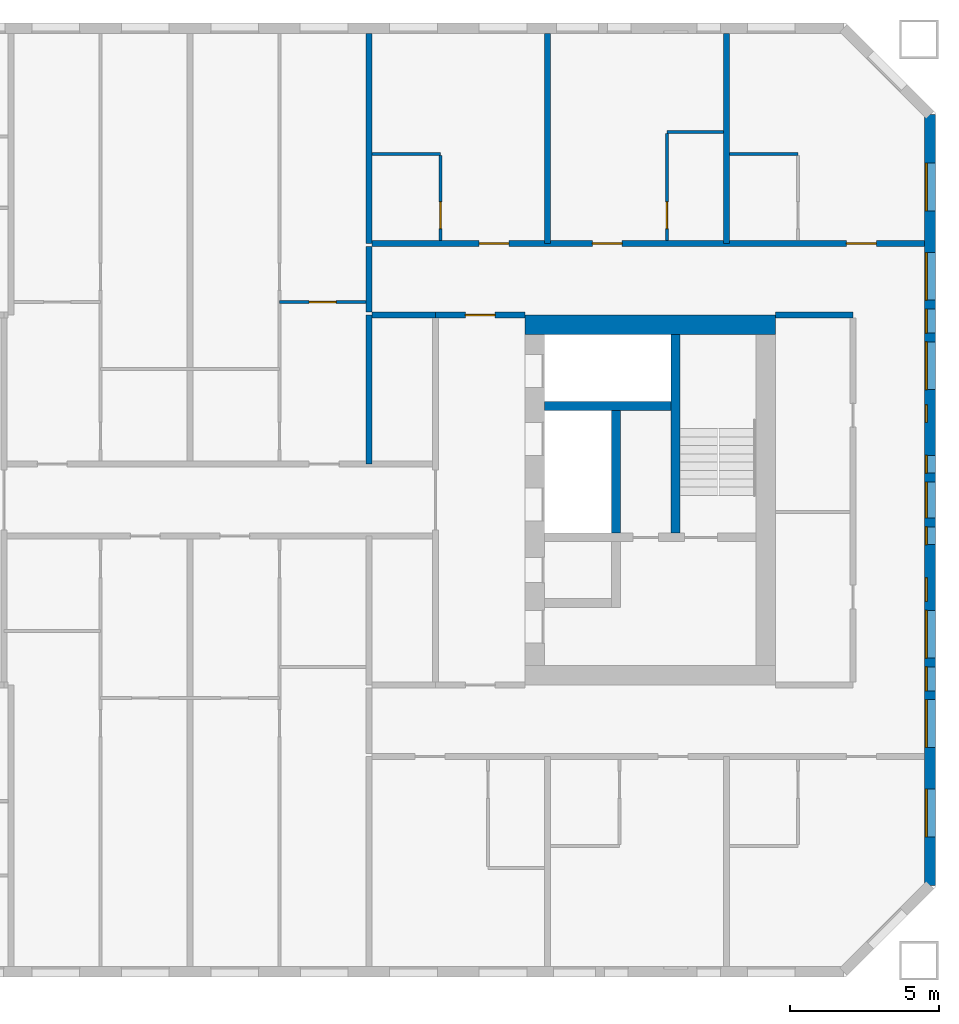
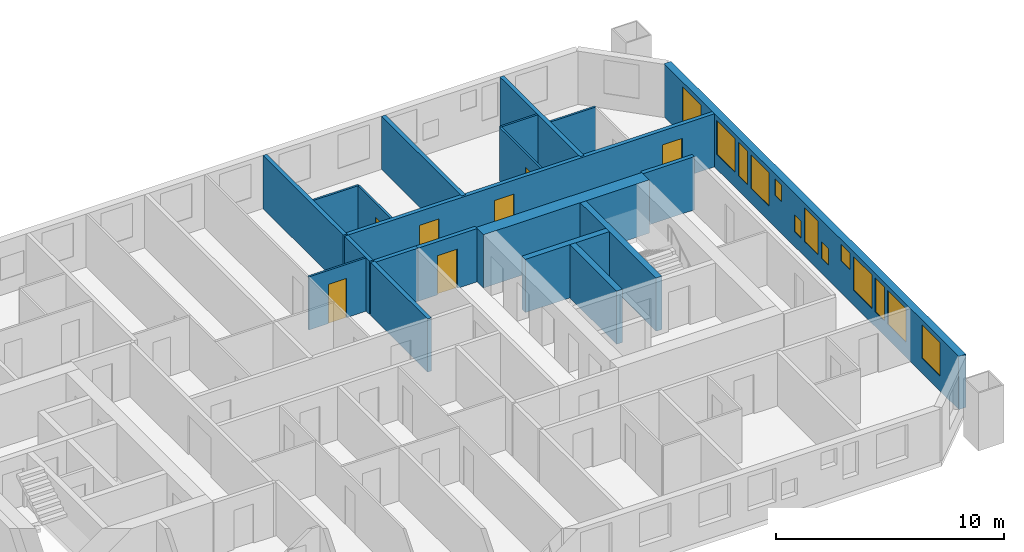
# One storey, part 14 of 17: 20 walls, 13 windows, 7 doors, 20 openings.
"""IFC4 building model written with IfcOpenShell, lengths in metres."""

import ifcopenshell
import ifcopenshell.guid

model = None  # the IFC model being written
_history = None  # IfcOwnerHistory: only IFC2X3 demands one
_inside = {}  # id of a spatial element -> (the spatial element, [elements in it])
_under = {}  # id of a project, library or spatial element -> (it, [spatial elements below it])
_declared = {}  # id of a project -> (the project, [libraries it declares])
_typed = {}  # id of a type object -> (the type object, [elements of that type])
_made_of = {}  # id of a material, layer set ... -> (it, [elements and type objects made of it])


def new_model(schema):
    """Start an empty IFC model of exactly this schema.

    Asked for "IFC4X3", IfcOpenShell would pick the latest addendum, in which some entities
    have other attributes; the version numbers below select the first issue.
    IFC2X3 requires an IfcOwnerHistory on every rooted entity: one is made here for all.
    """
    global model, _history
    if schema == "IFC4X3":
        model = ifcopenshell.file(schema_version=(4, 3, 0, 0))
    else:
        model = ifcopenshell.file(schema=schema)
    _inside.clear()
    _under.clear()
    _declared.clear()
    _typed.clear()
    _made_of.clear()
    _history = None
    if model.schema == "IFC2X3":
        org = make("IfcOrganization", Name="unknown")
        user = make(
            "IfcPersonAndOrganization",
            ThePerson=make("IfcPerson", FamilyName="unknown"),
            TheOrganization=org,
        )
        app = make(
            "IfcApplication",
            ApplicationDeveloper=org,
            Version="unknown",
            ApplicationFullName="unknown",
            ApplicationIdentifier="unknown",
        )
        _history = make(
            "IfcOwnerHistory",
            OwningUser=user,
            OwningApplication=app,
            ChangeAction="ADDED",
            CreationDate=0,
        )
    return model


def make(cls, **values):
    """One entity of the class cls with the attributes given. An attribute that is None is left unset."""
    return model.create_entity(
        cls, **{name: value for name, value in values.items() if value is not None}
    )


def rooted(cls, **values):
    """An entity with a GlobalId (a new one), such as an element, a storey or a relation."""
    return make(cls, GlobalId=ifcopenshell.guid.new(), OwnerHistory=_history, **values)


def si_unit(unit_type, name, prefix=None):
    """IfcSIUnit, for example si_unit("LENGTHUNIT", "METRE", prefix="MILLI")."""
    return make("IfcSIUnit", UnitType=unit_type, Prefix=prefix, Name=name)


def assignment(units):
    """IfcUnitAssignment: the units of a project."""
    return None if units is None else make("IfcUnitAssignment", Units=units)


def point(xyz):
    """IfcCartesianPoint."""
    return None if xyz is None else make("IfcCartesianPoint", Coordinates=xyz)


def direction(xyz):
    """IfcDirection."""
    return None if xyz is None else make("IfcDirection", DirectionRatios=xyz)


def frame(location, z_axis=None, x_axis=None):
    """IfcAxis2Placement3D, a coordinate frame: its origin and axes. An axis left out is left unset."""
    return make(
        "IfcAxis2Placement3D",
        Location=point(location),
        Axis=direction(z_axis),
        RefDirection=direction(x_axis),
    )


def frame_2d(location, x_axis=None):
    """IfcAxis2Placement2D, a coordinate frame in the plane: its origin and x axis."""
    return make(
        "IfcAxis2Placement2D", Location=point(location), RefDirection=direction(x_axis)
    )


def origin():
    """The frame at (0, 0, 0) with its axes left unset."""
    return frame((0.0, 0.0, 0.0))


def place(relative_to, where):
    """IfcLocalPlacement: puts the frame where relative to a parent placement (None: the world)."""
    return make(
        "IfcLocalPlacement", PlacementRelTo=relative_to, RelativePlacement=where
    )


def context(
    kind, dimensions, precision=None, world=None, true_north=None, identifier=None
):
    """IfcGeometricRepresentationContext, for example the 3D "Model" context."""
    return make(
        "IfcGeometricRepresentationContext",
        ContextIdentifier=identifier,
        ContextType=kind,
        CoordinateSpaceDimension=dimensions,
        Precision=precision,
        WorldCoordinateSystem=world,
        TrueNorth=true_north,
    )


def subcontext(parent, identifier, kind, view, scale=None):
    """IfcGeometricRepresentationSubContext, for example "Body" below "Model"."""
    return make(
        "IfcGeometricRepresentationSubContext",
        ContextIdentifier=identifier,
        ContextType=kind,
        ParentContext=parent,
        TargetScale=scale,
        TargetView=view,
    )


def project(units=None, contexts=None):
    """IfcProject with its units and contexts."""
    return rooted(
        "IfcProject",
        Name="project",
        RepresentationContexts=contexts,
        UnitsInContext=assignment(units),
    )


def spatial(cls, under=None, at=None, **own):
    """A site, building, storey or space (cls), placed at a placement, below another one or the project."""
    s = rooted(cls, ObjectPlacement=at, **own)
    if under is not None:
        _under.setdefault(under.id(), (under, []))[1].append(s)
    return s


def profile(cls, at=None, kind="AREA", **sizes):
    """A parametric profile (cls). Its sizes go by their IFC names, for example OverallWidth=200.0."""
    return make(cls, ProfileType=kind, Position=at, **sizes)


def rectangle(**sizes):
    """IfcRectangleProfileDef."""
    return profile("IfcRectangleProfileDef", **sizes)


def extrude(swept, where, along, depth):
    """IfcExtrudedAreaSolid: the profile swept, set in the frame where, extruded along a direction by depth."""
    return make(
        "IfcExtrudedAreaSolid",
        SweptArea=swept,
        Position=where,
        ExtrudedDirection=direction(along),
        Depth=depth,
    )


def shape(context_of_items, identifier, shape_type, items):
    """IfcShapeRepresentation: the items that make up one representation, for example the "Body"."""
    return make(
        "IfcShapeRepresentation",
        ContextOfItems=context_of_items,
        RepresentationIdentifier=identifier,
        RepresentationType=shape_type,
        Items=items,
    )


def material(Name=None, Category=None):
    """IfcMaterial."""
    return make("IfcMaterial", Name=Name, Category=Category)


def layer(
    of_material, thickness, ventilated=None, Name=None, Category=None, Priority=None
):
    """IfcMaterialLayer: one layer of a wall or slab, of a material (None: an air gap)."""
    return make(
        "IfcMaterialLayer",
        Material=of_material,
        LayerThickness=thickness,
        IsVentilated=ventilated,
        Name=Name,
        Category=Category,
        Priority=Priority,
    )


def layer_set(layers, Name=None):
    """IfcMaterialLayerSet."""
    return make("IfcMaterialLayerSet", MaterialLayers=layers, LayerSetName=Name)


def made_of(thing, what):
    """Note that an element or type object is made of a material, layer set ...; save() writes the relation."""
    if what is not None:
        _made_of.setdefault(what.id(), (what, []))[1].append(thing)
    return thing


def type_object(cls, material=None, **own):
    """A type object (cls), such as IfcWallType, which elements share."""
    return made_of(rooted(cls, **own), material)


def element(
    cls,
    number,
    at=None,
    inside=None,
    cuts=None,
    type_object=None,
    material=None,
    context=None,
    identifier="Body",
    shape_type=None,
    held_by="IfcProductDefinitionShape",
    body=None,
    shapes=None,
    **own,
):
    """One element of the class cls, such as IfcWall. Its Tag is "e" and its number.

    at: its placement. inside: the storey or other place that contains it. cuts: it is an
    opening in that element (IfcRelVoidsElement). A single representation is given by context,
    identifier, shape_type and body (its items); several are given by shapes. held_by: the class
    of the entity that holds the representations. save() writes the other relations.
    """
    e = rooted(cls, Tag="e%d" % number, ObjectPlacement=at, **own)
    if body is not None:
        shapes = [shape(context, identifier, shape_type, body)]
    if shapes is not None:
        e.Representation = make(held_by, Representations=shapes)
    if inside is not None:
        _inside.setdefault(inside.id(), (inside, []))[1].append(e)
    if cuts is not None:
        rooted(
            "IfcRelVoidsElement", RelatingBuildingElement=cuts, RelatedOpeningElement=e
        )
    if type_object is not None:
        _typed.setdefault(type_object.id(), (type_object, []))[1].append(e)
    return made_of(e, material)


def fill(opening, filler):
    """IfcRelFillsElement: the door or window that sits in an opening."""
    return rooted(
        "IfcRelFillsElement",
        RelatingOpeningElement=opening,
        RelatedBuildingElement=filler,
    )


def aggregate(whole, parts):
    """IfcRelAggregates: a whole, such as a stair, and the parts it consists of."""
    return rooted("IfcRelAggregates", RelatingObject=whole, RelatedObjects=parts)


def save(model, path):
    """Write the relations noted so far, then the file.

    IfcRelAggregates (storeys below a building ...), IfcRelContainedInSpatialStructure (elements
    in a storey), IfcRelDefinesByType, IfcRelAssociatesMaterial and IfcRelDeclares: one each for
    every whole, place, type object, material and project.
    """
    for whole, parts in _under.values():
        aggregate(whole, parts)
    for where, things in _inside.values():
        rooted(
            "IfcRelContainedInSpatialStructure",
            RelatedElements=things,
            RelatingStructure=where,
        )
    for kind, things in _typed.values():
        rooted("IfcRelDefinesByType", RelatedObjects=things, RelatingType=kind)
    for what, things in _made_of.values():
        rooted("IfcRelAssociatesMaterial", RelatedObjects=things, RelatingMaterial=what)
    for by, libraries in _declared.values():
        rooted("IfcRelDeclares", RelatingContext=by, RelatedDefinitions=libraries)
    model.write(path)


model = new_model("IFC4")

# Units and contexts
model_context = context("Model", 3, precision=1e-05, world=origin(), true_north=direction((0.0, 1.0)))
body_context = subcontext(model_context, "Body", "Model", "MODEL_VIEW")
ifc_project = project(units=[si_unit("LENGTHUNIT", "METRE"), si_unit("AREAUNIT", "SQUARE_METRE"), si_unit("VOLUMEUNIT", "CUBIC_METRE"), si_unit("PLANEANGLEUNIT", "RADIAN"), si_unit("MASSUNIT", "GRAM", prefix="KILO")], contexts=[model_context])

# Site, building, storey
site_placement = place(None, origin())
site = spatial("IfcSite", under=ifc_project, at=site_placement, CompositionType="ELEMENT")
building_placement = place(site_placement, origin())
building = spatial("IfcBuilding", under=site, at=building_placement, Name="Tuart Gate Housing", CompositionType="ELEMENT")
storey_placement = place(building_placement, frame((0.0, 0.0, 102.60009765625)))
storey = spatial("IfcBuildingStorey", under=building, at=storey_placement, Name="L28", CompositionType="ELEMENT", Elevation=102.60009765625)

# Wall, openings, windows
ifc_material_1 = material(Name="Brick", Category="masonry")
ifc_layer_1 = layer(ifc_material_1, 0.360107421875)
ifc_layer_set_1 = layer_set([ifc_layer_1], Name="Brick pier and spandrel wall 360")
wall_type_1 = type_object("IfcWallType", Name="Brick pier and spandrel wall 360", PredefinedType="STANDARD", material=ifc_layer_set_1)
wall_1_placement = place(storey_placement, frame((173.820068359375, 57.07470703125, 0.0), z_axis=(0.0, 0.0, 1.0), x_axis=(0.0, 1.0, 0.0)))
wall_1 = element("IfcWall", 1, at=wall_1_placement, inside=storey, type_object=wall_type_1, Name="External wall B-E L28", PredefinedType="STANDARD", context=body_context, shape_type="SweptSolid", body=[
    extrude(rectangle(XDim=25.850830078125, YDim=0.360107421875, at=frame_2d((12.92529296875, 0.0))), origin(), (0.0, 0.0, 1.0), 2.849853515625),
])
opening_1_placement = place(wall_1_placement, frame((1.62548828125, 0.0, 0.800048828125)))
opening_1 = element("IfcOpeningElement", 2, at=opening_1_placement, cuts=wall_1, Name="Opening W1", PredefinedType="OPENING", context=body_context, shape_type="SweptSolid", body=[
    extrude(rectangle(XDim=1.60009765625, YDim=1.800048828125, at=frame_2d((0.800048828125, 0.89990234375))), frame((0.0, 0.18994140625, 0.0), z_axis=(0.0, -1.0, 0.0), x_axis=(1.0, 0.0, 0.0)), (0.0, 0.0, 1.0), 0.380126953125),
])
opening_2_placement = place(wall_1_placement, frame((4.62548828125, 0.0, 0.800048828125)))
opening_2 = element("IfcOpeningElement", 3, at=opening_2_placement, cuts=wall_1, Name="Opening W1", PredefinedType="OPENING", context=body_context, shape_type="SweptSolid", body=[
    extrude(rectangle(XDim=1.60009765625, YDim=1.800048828125, at=frame_2d((0.800048828125, 0.89990234375))), frame((0.0, 0.18994140625, 0.0), z_axis=(0.0, -1.0, 0.0), x_axis=(1.0, 0.0, 0.0)), (0.0, 0.0, 1.0), 0.380126953125),
])
opening_3_placement = place(wall_1_placement, frame((7.62548828125, 0.0, 0.800048828125)))
opening_3 = element("IfcOpeningElement", 4, at=opening_3_placement, cuts=wall_1, Name="Opening W1", PredefinedType="OPENING", context=body_context, shape_type="SweptSolid", body=[
    extrude(rectangle(XDim=1.60009765625, YDim=1.800048828125, at=frame_2d((0.800048828125, 0.89990234375))), frame((0.0, 0.18994140625, 0.0), z_axis=(0.0, -1.0, 0.0), x_axis=(1.0, 0.0, 0.0)), (0.0, 0.0, 1.0), 0.380126953125),
])
opening_4_placement = place(wall_1_placement, frame((6.525390625, 0.0, 0.800048828125)))
opening_4 = element("IfcOpeningElement", 5, at=opening_4_placement, cuts=wall_1, Name="Opening W1D", PredefinedType="OPENING", context=body_context, shape_type="SweptSolid", body=[
    extrude(rectangle(XDim=0.800048828125, YDim=1.800048828125, at=frame_2d((0.39990234375, 0.89990234375))), frame((0.0, 0.18994140625, 0.0), z_axis=(0.0, -1.0, 0.0), x_axis=(1.0, 0.0, 0.0)), (0.0, 0.0, 1.0), 0.380126953125),
])
opening_5_placement = place(wall_1_placement, frame((9.525390625, 0.0, 1.699951171875)))
opening_5 = element("IfcOpeningElement", 6, at=opening_5_placement, cuts=wall_1, Name="Opening W1V", PredefinedType="OPENING", context=body_context, shape_type="SweptSolid", body=[
    extrude(rectangle(XDim=0.800048828125, YDim=0.89990234375, at=frame_2d((0.39990234375, 0.449951171875))), frame((0.0, 0.18994140625, 0.0), z_axis=(0.0, -1.0, 0.0), x_axis=(1.0, 0.0, 0.0)), (0.0, 0.0, 1.0), 0.380126953125),
])
opening_6_placement = place(wall_1_placement, frame((16.62548828125, 0.0, 0.800048828125)))
opening_6 = element("IfcOpeningElement", 7, at=opening_6_placement, cuts=wall_1, Name="Opening W1", PredefinedType="OPENING", context=body_context, shape_type="SweptSolid", body=[
    extrude(rectangle(XDim=1.60009765625, YDim=1.800048828125, at=frame_2d((0.800048828125, 0.89990234375))), frame((0.0, 0.18994140625, 0.0), z_axis=(0.0, -1.0, 0.0), x_axis=(1.0, 0.0, 0.0)), (0.0, 0.0, 1.0), 0.380126953125),
])
opening_7_placement = place(wall_1_placement, frame((19.62548828125, 0.0, 0.800048828125)))
opening_7 = element("IfcOpeningElement", 8, at=opening_7_placement, cuts=wall_1, Name="Opening W1", PredefinedType="OPENING", context=body_context, shape_type="SweptSolid", body=[
    extrude(rectangle(XDim=1.60009765625, YDim=1.800048828125, at=frame_2d((0.800048828125, 0.89990234375))), frame((0.0, 0.18994140625, 0.0), z_axis=(0.0, -1.0, 0.0), x_axis=(1.0, 0.0, 0.0)), (0.0, 0.0, 1.0), 0.380126953125),
])
opening_8_placement = place(wall_1_placement, frame((22.62548828125, 0.0, 0.800048828125)))
opening_8 = element("IfcOpeningElement", 9, at=opening_8_placement, cuts=wall_1, Name="Opening W1", PredefinedType="OPENING", context=body_context, shape_type="SweptSolid", body=[
    extrude(rectangle(XDim=1.60009765625, YDim=1.800048828125, at=frame_2d((0.800048828125, 0.89990234375))), frame((0.0, 0.18994140625, 0.0), z_axis=(0.0, -1.0, 0.0), x_axis=(1.0, 0.0, 0.0)), (0.0, 0.0, 1.0), 0.380126953125),
])
opening_9_placement = place(wall_1_placement, frame((11.42529296875, 0.0, 0.800048828125)))
opening_9 = element("IfcOpeningElement", 10, at=opening_9_placement, cuts=wall_1, Name="Opening W1W", PredefinedType="OPENING", context=body_context, shape_type="SweptSolid", body=[
    extrude(rectangle(XDim=0.60009765625, YDim=0.89990234375, at=frame_2d((0.300048828125, 0.449951171875))), frame((0.0, 0.18994140625, 0.0), z_axis=(0.0, -1.0, 0.0), x_axis=(1.0, 0.0, 0.0)), (0.0, 0.0, 1.0), 0.380126953125),
])
opening_10_placement = place(wall_1_placement, frame((12.325439453125, 0.0, 0.800048828125)))
opening_10 = element("IfcOpeningElement", 11, at=opening_10_placement, cuts=wall_1, Name="Opening W1B", PredefinedType="OPENING", context=body_context, shape_type="SweptSolid", body=[
    extrude(rectangle(XDim=1.199951171875, YDim=1.800048828125, at=frame_2d((0.60009765625, 0.89990234375))), frame((0.0, 0.18994140625, 0.0), z_axis=(0.0, -1.0, 0.0), x_axis=(1.0, 0.0, 0.0)), (0.0, 0.0, 1.0), 0.380126953125),
])
opening_11_placement = place(wall_1_placement, frame((13.825439453125, 0.0, 0.800048828125)))
opening_11 = element("IfcOpeningElement", 12, at=opening_11_placement, cuts=wall_1, Name="Opening W1W", PredefinedType="OPENING", context=body_context, shape_type="SweptSolid", body=[
    extrude(rectangle(XDim=0.60009765625, YDim=0.89990234375, at=frame_2d((0.300048828125, 0.449951171875))), frame((0.0, 0.18994140625, 0.0), z_axis=(0.0, -1.0, 0.0), x_axis=(1.0, 0.0, 0.0)), (0.0, 0.0, 1.0), 0.380126953125),
])
opening_12_placement = place(wall_1_placement, frame((15.525390625, 0.0, 1.699951171875)))
opening_12 = element("IfcOpeningElement", 13, at=opening_12_placement, cuts=wall_1, Name="Opening W1W", PredefinedType="OPENING", context=body_context, shape_type="SweptSolid", body=[
    extrude(rectangle(XDim=0.60009765625, YDim=0.89990234375, at=frame_2d((0.300048828125, 0.449951171875))), frame((0.0, 0.18994140625, 0.0), z_axis=(0.0, -1.0, 0.0), x_axis=(1.0, 0.0, 0.0)), (0.0, 0.0, 1.0), 0.380126953125),
])
opening_13_placement = place(wall_1_placement, frame((18.525390625, 0.0, 0.800048828125)))
opening_13 = element("IfcOpeningElement", 14, at=opening_13_placement, cuts=wall_1, Name="Opening W1D", PredefinedType="OPENING", context=body_context, shape_type="SweptSolid", body=[
    extrude(rectangle(XDim=0.800048828125, YDim=1.800048828125, at=frame_2d((0.39990234375, 0.89990234375))), frame((0.0, 0.18994140625, 0.0), z_axis=(0.0, -1.0, 0.0), x_axis=(1.0, 0.0, 0.0)), (0.0, 0.0, 1.0), 0.380126953125),
])
ifc_material_2 = material(Name="Aluminium frame with clear glass", Category="aluminium")
window_type_1 = type_object("IfcWindowType", Name="Punched window 1200 x 1800", PartitioningType="SINGLE_PANEL", PredefinedType="WINDOW", material=ifc_material_2)
window_1_placement = place(opening_10_placement, origin())
window_1 = element("IfcWindow", 15, at=window_1_placement, inside=storey, type_object=window_type_1, Name="Window W1B", OverallHeight=1.800048828125, OverallWidth=1.199951171875, PartitioningType="SINGLE_PANEL", PredefinedType="WINDOW", context=body_context, shape_type="SweptSolid", body=[
    extrude(rectangle(XDim=1.199951171875, YDim=1.800048828125, at=frame_2d((0.60009765625, 0.89990234375))), frame((0.0, 0.150146484375, 0.0), z_axis=(0.0, -1.0, 0.0), x_axis=(1.0, 0.0, 0.0)), (0.0, 0.0, 1.0), 0.06005859375),
])
fill(opening_10, window_1)
ifc_material_3 = material(Name="Aluminium frame with clear glass", Category="aluminium")
window_type_2 = type_object("IfcWindowType", Name="Punched window 1600 x 1800", PartitioningType="SINGLE_PANEL", PredefinedType="WINDOW", material=ifc_material_3)
window_2_placement = place(opening_1_placement, origin())
window_2 = element("IfcWindow", 16, at=window_2_placement, inside=storey, type_object=window_type_2, Name="Window W1", OverallHeight=1.800048828125, OverallWidth=1.60009765625, PartitioningType="SINGLE_PANEL", PredefinedType="WINDOW", context=body_context, shape_type="SweptSolid", body=[
    extrude(rectangle(XDim=1.60009765625, YDim=1.800048828125, at=frame_2d((0.800048828125, 0.89990234375))), frame((0.0, 0.150146484375, 0.0), z_axis=(0.0, -1.0, 0.0), x_axis=(1.0, 0.0, 0.0)), (0.0, 0.0, 1.0), 0.06005859375),
])
fill(opening_1, window_2)
window_3_placement = place(opening_2_placement, origin())
window_3 = element("IfcWindow", 17, at=window_3_placement, inside=storey, type_object=window_type_2, Name="Window W1", OverallHeight=1.800048828125, OverallWidth=1.60009765625, PartitioningType="SINGLE_PANEL", PredefinedType="WINDOW", context=body_context, shape_type="SweptSolid", body=[
    extrude(rectangle(XDim=1.60009765625, YDim=1.800048828125, at=frame_2d((0.800048828125, 0.89990234375))), frame((0.0, 0.150146484375, 0.0), z_axis=(0.0, -1.0, 0.0), x_axis=(1.0, 0.0, 0.0)), (0.0, 0.0, 1.0), 0.06005859375),
])
fill(opening_2, window_3)
window_4_placement = place(opening_3_placement, origin())
window_4 = element("IfcWindow", 18, at=window_4_placement, inside=storey, type_object=window_type_2, Name="Window W1", OverallHeight=1.800048828125, OverallWidth=1.60009765625, PartitioningType="SINGLE_PANEL", PredefinedType="WINDOW", context=body_context, shape_type="SweptSolid", body=[
    extrude(rectangle(XDim=1.60009765625, YDim=1.800048828125, at=frame_2d((0.800048828125, 0.89990234375))), frame((0.0, 0.150146484375, 0.0), z_axis=(0.0, -1.0, 0.0), x_axis=(1.0, 0.0, 0.0)), (0.0, 0.0, 1.0), 0.06005859375),
])
fill(opening_3, window_4)
window_5_placement = place(opening_6_placement, origin())
window_5 = element("IfcWindow", 19, at=window_5_placement, inside=storey, type_object=window_type_2, Name="Window W1", OverallHeight=1.800048828125, OverallWidth=1.60009765625, PartitioningType="SINGLE_PANEL", PredefinedType="WINDOW", context=body_context, shape_type="SweptSolid", body=[
    extrude(rectangle(XDim=1.60009765625, YDim=1.800048828125, at=frame_2d((0.800048828125, 0.89990234375))), frame((0.0, 0.150146484375, 0.0), z_axis=(0.0, -1.0, 0.0), x_axis=(1.0, 0.0, 0.0)), (0.0, 0.0, 1.0), 0.06005859375),
])
fill(opening_6, window_5)
window_6_placement = place(opening_7_placement, origin())
window_6 = element("IfcWindow", 20, at=window_6_placement, inside=storey, type_object=window_type_2, Name="Window W1", OverallHeight=1.800048828125, OverallWidth=1.60009765625, PartitioningType="SINGLE_PANEL", PredefinedType="WINDOW", context=body_context, shape_type="SweptSolid", body=[
    extrude(rectangle(XDim=1.60009765625, YDim=1.800048828125, at=frame_2d((0.800048828125, 0.89990234375))), frame((0.0, 0.150146484375, 0.0), z_axis=(0.0, -1.0, 0.0), x_axis=(1.0, 0.0, 0.0)), (0.0, 0.0, 1.0), 0.06005859375),
])
fill(opening_7, window_6)
window_7_placement = place(opening_8_placement, origin())
window_7 = element("IfcWindow", 21, at=window_7_placement, inside=storey, type_object=window_type_2, Name="Window W1", OverallHeight=1.800048828125, OverallWidth=1.60009765625, PartitioningType="SINGLE_PANEL", PredefinedType="WINDOW", context=body_context, shape_type="SweptSolid", body=[
    extrude(rectangle(XDim=1.60009765625, YDim=1.800048828125, at=frame_2d((0.800048828125, 0.89990234375))), frame((0.0, 0.150146484375, 0.0), z_axis=(0.0, -1.0, 0.0), x_axis=(1.0, 0.0, 0.0)), (0.0, 0.0, 1.0), 0.06005859375),
])
fill(opening_8, window_7)
ifc_material_4 = material(Name="Aluminium frame with clear glass", Category="aluminium")
window_type_3 = type_object("IfcWindowType", Name="Punched window 600 x 900", PartitioningType="SINGLE_PANEL", PredefinedType="WINDOW", material=ifc_material_4)
window_8_placement = place(opening_9_placement, origin())
window_8 = element("IfcWindow", 22, at=window_8_placement, inside=storey, type_object=window_type_3, Name="Window W1W", OverallHeight=0.89990234375, OverallWidth=0.60009765625, PartitioningType="SINGLE_PANEL", PredefinedType="WINDOW", context=body_context, shape_type="SweptSolid", body=[
    extrude(rectangle(XDim=0.60009765625, YDim=0.89990234375, at=frame_2d((0.300048828125, 0.449951171875))), frame((0.0, 0.150146484375, 0.0), z_axis=(0.0, -1.0, 0.0), x_axis=(1.0, 0.0, 0.0)), (0.0, 0.0, 1.0), 0.06005859375),
])
fill(opening_9, window_8)
window_9_placement = place(opening_11_placement, origin())
window_9 = element("IfcWindow", 23, at=window_9_placement, inside=storey, type_object=window_type_3, Name="Window W1W", OverallHeight=0.89990234375, OverallWidth=0.60009765625, PartitioningType="SINGLE_PANEL", PredefinedType="WINDOW", context=body_context, shape_type="SweptSolid", body=[
    extrude(rectangle(XDim=0.60009765625, YDim=0.89990234375, at=frame_2d((0.300048828125, 0.449951171875))), frame((0.0, 0.150146484375, 0.0), z_axis=(0.0, -1.0, 0.0), x_axis=(1.0, 0.0, 0.0)), (0.0, 0.0, 1.0), 0.06005859375),
])
fill(opening_11, window_9)
window_10_placement = place(opening_12_placement, origin())
window_10 = element("IfcWindow", 24, at=window_10_placement, inside=storey, type_object=window_type_3, Name="Window W1W", OverallHeight=0.89990234375, OverallWidth=0.60009765625, PartitioningType="SINGLE_PANEL", PredefinedType="WINDOW", context=body_context, shape_type="SweptSolid", body=[
    extrude(rectangle(XDim=0.60009765625, YDim=0.89990234375, at=frame_2d((0.300048828125, 0.449951171875))), frame((0.0, 0.150146484375, 0.0), z_axis=(0.0, -1.0, 0.0), x_axis=(1.0, 0.0, 0.0)), (0.0, 0.0, 1.0), 0.06005859375),
])
fill(opening_12, window_10)
ifc_material_5 = material(Name="Aluminium frame with clear glass", Category="aluminium")
window_type_4 = type_object("IfcWindowType", Name="Punched window 800 x 1800", PartitioningType="SINGLE_PANEL", PredefinedType="WINDOW", material=ifc_material_5)
window_11_placement = place(opening_4_placement, origin())
window_11 = element("IfcWindow", 25, at=window_11_placement, inside=storey, type_object=window_type_4, Name="Window W1D", OverallHeight=1.800048828125, OverallWidth=0.800048828125, PartitioningType="SINGLE_PANEL", PredefinedType="WINDOW", context=body_context, shape_type="SweptSolid", body=[
    extrude(rectangle(XDim=0.800048828125, YDim=1.800048828125, at=frame_2d((0.39990234375, 0.89990234375))), frame((0.0, 0.150146484375, 0.0), z_axis=(0.0, -1.0, 0.0), x_axis=(1.0, 0.0, 0.0)), (0.0, 0.0, 1.0), 0.06005859375),
])
fill(opening_4, window_11)
window_12_placement = place(opening_13_placement, origin())
window_12 = element("IfcWindow", 26, at=window_12_placement, inside=storey, type_object=window_type_4, Name="Window W1D", OverallHeight=1.800048828125, OverallWidth=0.800048828125, PartitioningType="SINGLE_PANEL", PredefinedType="WINDOW", context=body_context, shape_type="SweptSolid", body=[
    extrude(rectangle(XDim=0.800048828125, YDim=1.800048828125, at=frame_2d((0.39990234375, 0.89990234375))), frame((0.0, 0.150146484375, 0.0), z_axis=(0.0, -1.0, 0.0), x_axis=(1.0, 0.0, 0.0)), (0.0, 0.0, 1.0), 0.06005859375),
])
fill(opening_13, window_12)
ifc_material_6 = material(Name="Aluminium frame with clear glass", Category="aluminium")
window_type_5 = type_object("IfcWindowType", Name="Punched window 800 x 900", PartitioningType="SINGLE_PANEL", PredefinedType="WINDOW", material=ifc_material_6)
window_13_placement = place(opening_5_placement, origin())
window_13 = element("IfcWindow", 27, at=window_13_placement, inside=storey, type_object=window_type_5, Name="Window W1V", OverallHeight=0.89990234375, OverallWidth=0.800048828125, PartitioningType="SINGLE_PANEL", PredefinedType="WINDOW", context=body_context, shape_type="SweptSolid", body=[
    extrude(rectangle(XDim=0.800048828125, YDim=0.89990234375, at=frame_2d((0.39990234375, 0.449951171875))), frame((0.0, 0.150146484375, 0.0), z_axis=(0.0, -1.0, 0.0), x_axis=(1.0, 0.0, 0.0)), (0.0, 0.0, 1.0), 0.06005859375),
])
fill(opening_5, window_13)

# Walls
ifc_material_7 = material(Name="Concrete C50", Category="concrete")
ifc_layer_2 = layer(ifc_material_7, 0.300048828125)
ifc_layer_set_2 = layer_set([ifc_layer_2], Name="Core wall 300 C50")
wall_type_2 = type_object("IfcWallType", Name="Core wall 300 C50", PredefinedType="SHEAR", material=ifc_layer_set_2)
wall_2_placement = place(storey_placement, frame((160.889892578125, 73.14990234375, 0.0), z_axis=(0.0, 0.0, 1.0), x_axis=(1.0, 0.0, 0.0)))
element("IfcWall", 28, at=wall_2_placement, inside=storey, type_object=wall_type_2, Name="Core wall BK.1", PredefinedType="SHEAR", context=body_context, shape_type="SweptSolid", body=[
    extrude(rectangle(XDim=4.25, YDim=0.300048828125, at=frame_2d((2.125, 0.0))), origin(), (0.0, 0.0, 1.0), 2.849853515625),
])
wall_3_placement = place(storey_placement, frame((163.2900390625, 73.0, 0.0), z_axis=(0.0, 0.0, 1.0), x_axis=(0.0, -1.0, 0.0)))
element("IfcWall", 29, at=wall_3_placement, inside=storey, type_object=wall_type_2, Name="Core wall BK.4", PredefinedType="SHEAR", context=body_context, shape_type="SweptSolid", body=[
    extrude(rectangle(XDim=4.10009765625, YDim=0.300048828125, at=frame_2d((2.050048828125, 0.0))), origin(), (0.0, 0.0, 1.0), 2.849853515625),
])
wall_4_placement = place(storey_placement, frame((165.2900390625, 75.550048828125, 0.0), z_axis=(0.0, 0.0, 1.0), x_axis=(0.0, -1.0, 0.0)))
element("IfcWall", 30, at=wall_4_placement, inside=storey, type_object=wall_type_2, Name="Core wall BK.6", PredefinedType="SHEAR", context=body_context, shape_type="SweptSolid", body=[
    extrude(rectangle(XDim=6.650146484375, YDim=0.300048828125, at=frame_2d((3.3251953125, 0.0))), origin(), (0.0, 0.0, 1.0), 2.849853515625),
])
ifc_material_8 = material(Name="Concrete C50", Category="concrete")
ifc_layer_3 = layer(ifc_material_8, 0.64990234375)
ifc_layer_set_3 = layer_set([ifc_layer_3], Name="Core wall 650 C50")
wall_type_3 = type_object("IfcWallType", Name="Core wall 650 C50", PredefinedType="SHEAR", material=ifc_layer_set_3)
wall_5_placement = place(storey_placement, frame((160.239990234375, 75.875, 0.0), z_axis=(0.0, 0.0, 1.0), x_axis=(1.0, 0.0, 0.0)))
element("IfcWall", 31, at=wall_5_placement, inside=storey, type_object=wall_type_3, Name="Core wall BK south", PredefinedType="SHEAR", context=body_context, shape_type="SweptSolid", body=[
    extrude(rectangle(XDim=8.39990234375, YDim=0.64990234375, at=frame_2d((4.199951171875, 0.0))), origin(), (0.0, 0.0, 1.0), 2.849853515625),
])
ifc_material_9 = material(Name="Concrete masonry 15 MPa", Category="masonry")
ifc_layer_4 = layer(ifc_material_9, 0.199951171875)
ifc_layer_set_4 = layer_set([ifc_layer_4], Name="Corridor wall masonry 200")
wall_type_4 = type_object("IfcWallType", Name="Corridor wall masonry 200", PredefinedType="PARTITIONING", material=ifc_layer_set_4)
wall_6_placement = place(storey_placement, frame((155.10009765625, 76.199951171875, 0.0), z_axis=(0.0, 0.0, 1.0), x_axis=(1.0, 0.0, 0.0)))
element("IfcWall", 32, at=wall_6_placement, inside=storey, type_object=wall_type_4, Name="Corridor wall masonry 200", PredefinedType="PARTITIONING", context=body_context, shape_type="SweptSolid", body=[
    extrude(rectangle(XDim=2.139892578125, YDim=0.199951171875, at=frame_2d((1.06982421875, 0.0))), origin(), (0.0, 0.0, 1.0), 2.849853515625),
])
wall_7_placement = place(storey_placement, frame((168.639892578125, 76.199951171875, 0.0), z_axis=(0.0, 0.0, 1.0), x_axis=(1.0, 0.0, 0.0)))
element("IfcWall", 33, at=wall_7_placement, inside=storey, type_object=wall_type_4, Name="Corridor wall masonry 200", PredefinedType="PARTITIONING", context=body_context, shape_type="SweptSolid", body=[
    extrude(rectangle(XDim=2.60009765625, YDim=0.199951171875, at=frame_2d((1.300048828125, 0.0))), origin(), (0.0, 0.0, 1.0), 2.849853515625),
])

# Wall, openings, doors
wall_8_placement = place(storey_placement, frame((155.10009765625, 78.60009765625, 0.0), z_axis=(0.0, 0.0, 1.0), x_axis=(1.0, 0.0, 0.0)))
wall_8 = element("IfcWall", 34, at=wall_8_placement, inside=storey, type_object=wall_type_4, Name="Corridor wall masonry 200", PredefinedType="PARTITIONING", context=body_context, shape_type="SweptSolid", body=[
    extrude(rectangle(XDim=18.539794921875, YDim=0.199951171875, at=frame_2d((9.27001953125, 0.0))), origin(), (0.0, 0.0, 1.0), 2.849853515625),
])
opening_14_placement = place(wall_8_placement, frame((3.60009765625, 0.0, 0.0)))
opening_14 = element("IfcOpeningElement", 35, at=opening_14_placement, cuts=wall_8, Name="Opening D1132", PredefinedType="OPENING", context=body_context, shape_type="SweptSolid", body=[
    extrude(rectangle(XDim=1.0, YDim=2.10009765625, at=frame_2d((0.5, 1.050048828125))), frame((0.0, 0.10986328125, 0.0), z_axis=(0.0, -1.0, 0.0), x_axis=(1.0, 0.0, 0.0)), (0.0, 0.0, 1.0), 0.219970703125),
])
opening_15_placement = place(wall_8_placement, frame((7.39990234375, 0.0, 0.0)))
opening_15 = element("IfcOpeningElement", 36, at=opening_15_placement, cuts=wall_8, Name="Opening D1133", PredefinedType="OPENING", context=body_context, shape_type="SweptSolid", body=[
    extrude(rectangle(XDim=1.0, YDim=2.10009765625, at=frame_2d((0.5, 1.050048828125))), frame((0.0, 0.10986328125, 0.0), z_axis=(0.0, -1.0, 0.0), x_axis=(1.0, 0.0, 0.0)), (0.0, 0.0, 1.0), 0.219970703125),
])
opening_16_placement = place(wall_8_placement, frame((15.919921875, 0.0, 0.0)))
opening_16 = element("IfcOpeningElement", 37, at=opening_16_placement, cuts=wall_8, Name="Opening D1134", PredefinedType="OPENING", context=body_context, shape_type="SweptSolid", body=[
    extrude(rectangle(XDim=1.0, YDim=2.10009765625, at=frame_2d((0.5, 1.050048828125))), frame((0.0, 0.10986328125, 0.0), z_axis=(0.0, -1.0, 0.0), x_axis=(1.0, 0.0, 0.0)), (0.0, 0.0, 1.0), 0.219970703125),
])
ifc_material_10 = material(Name="Timber door leaf in steel frame", Category="steel")
door_type_1 = type_object("IfcDoorType", Name="Flat entrance door 1000", OperationType="SINGLE_SWING_LEFT", PredefinedType="DOOR", material=ifc_material_10)
door_1_placement = place(opening_14_placement, origin())
door_1 = element("IfcDoor", 38, at=door_1_placement, inside=storey, type_object=door_type_1, Name="Flat entrance door", OperationType="SINGLE_SWING_LEFT", OverallHeight=2.10009765625, OverallWidth=1.0, PredefinedType="DOOR", context=body_context, shape_type="SweptSolid", body=[
    extrude(rectangle(XDim=1.0, YDim=2.10009765625, at=frame_2d((0.5, 1.050048828125))), frame((0.0, 0.02490234375, 0.0), z_axis=(0.0, -1.0, 0.0), x_axis=(1.0, 0.0, 0.0)), (0.0, 0.0, 1.0), 0.050048828125),
])
fill(opening_14, door_1)
door_2_placement = place(opening_15_placement, origin())
door_2 = element("IfcDoor", 39, at=door_2_placement, inside=storey, type_object=door_type_1, Name="Flat entrance door", OperationType="SINGLE_SWING_LEFT", OverallHeight=2.10009765625, OverallWidth=1.0, PredefinedType="DOOR", context=body_context, shape_type="SweptSolid", body=[
    extrude(rectangle(XDim=1.0, YDim=2.10009765625, at=frame_2d((0.5, 1.050048828125))), frame((0.0, 0.02490234375, 0.0), z_axis=(0.0, -1.0, 0.0), x_axis=(1.0, 0.0, 0.0)), (0.0, 0.0, 1.0), 0.050048828125),
])
fill(opening_15, door_2)
door_3_placement = place(opening_16_placement, origin())
door_3 = element("IfcDoor", 40, at=door_3_placement, inside=storey, type_object=door_type_1, Name="Flat entrance door", OperationType="SINGLE_SWING_LEFT", OverallHeight=2.10009765625, OverallWidth=1.0, PredefinedType="DOOR", context=body_context, shape_type="SweptSolid", body=[
    extrude(rectangle(XDim=1.0, YDim=2.10009765625, at=frame_2d((0.5, 1.050048828125))), frame((0.0, 0.02490234375, 0.0), z_axis=(0.0, -1.0, 0.0), x_axis=(1.0, 0.0, 0.0)), (0.0, 0.0, 1.0), 0.050048828125),
])
fill(opening_16, door_3)

# Wall
wall_9_placement = place(storey_placement, frame((155.0, 76.300048828125, 0.0), z_axis=(0.0, 0.0, 1.0), x_axis=(0.0, 1.0, 0.0)))
element("IfcWall", 41, at=wall_9_placement, inside=storey, type_object=wall_type_4, Name="Corridor wall masonry 200", PredefinedType="PARTITIONING", context=body_context, shape_type="SweptSolid", body=[
    extrude(rectangle(XDim=2.199951171875, YDim=0.199951171875, at=frame_2d((1.10009765625, 0.0))), origin(), (0.0, 0.0, 1.0), 2.849853515625),
])

# Wall, opening, door
ifc_material_11 = material(Name="Concrete masonry 15 MPa", Category="masonry")
ifc_layer_5 = layer(ifc_material_11, 0.199951171875)
ifc_layer_set_5 = layer_set([ifc_layer_5], Name="Enclosure wall masonry 200")
wall_type_5 = type_object("IfcWallType", Name="Enclosure wall masonry 200", PredefinedType="PARTITIONING", material=ifc_layer_set_5)
wall_10_placement = place(storey_placement, frame((157.239990234375, 76.199951171875, 0.0), z_axis=(0.0, 0.0, 1.0), x_axis=(1.0, 0.0, 0.0)))
wall_10 = element("IfcWall", 42, at=wall_10_placement, inside=storey, type_object=wall_type_5, Name="Enclosure wall masonry 200", PredefinedType="PARTITIONING", context=body_context, shape_type="SweptSolid", body=[
    extrude(rectangle(XDim=3.0, YDim=0.199951171875, at=frame_2d((1.5, 0.0))), origin(), (0.0, 0.0, 1.0), 2.849853515625),
])
opening_17_placement = place(wall_10_placement, frame((1.0, 0.0, 0.0)))
opening_17 = element("IfcOpeningElement", 43, at=opening_17_placement, cuts=wall_10, Name="Opening D1142", PredefinedType="OPENING", context=body_context, shape_type="SweptSolid", body=[
    extrude(rectangle(XDim=1.0, YDim=2.10009765625, at=frame_2d((0.5, 1.050048828125))), frame((0.0, 0.10986328125, 0.0), z_axis=(0.0, -1.0, 0.0), x_axis=(1.0, 0.0, 0.0)), (0.0, 0.0, 1.0), 0.219970703125),
])
ifc_material_12 = material(Name="Timber door leaf in steel frame", Category="steel")
door_type_2 = type_object("IfcDoorType", Name="Fire door 1000", OperationType="SINGLE_SWING_LEFT", PredefinedType="DOOR", material=ifc_material_12)
door_4_placement = place(opening_17_placement, origin())
door_4 = element("IfcDoor", 44, at=door_4_placement, inside=storey, type_object=door_type_2, Name="Fire door", OperationType="SINGLE_SWING_LEFT", OverallHeight=2.10009765625, OverallWidth=1.0, PredefinedType="DOOR", context=body_context, shape_type="SweptSolid", body=[
    extrude(rectangle(XDim=1.0, YDim=2.10009765625, at=frame_2d((0.5, 1.050048828125))), frame((0.0, 0.02490234375, 0.0), z_axis=(0.0, -1.0, 0.0), x_axis=(1.0, 0.0, 0.0)), (0.0, 0.0, 1.0), 0.050048828125),
])
fill(opening_17, door_4)

ifc_material_13 = material(Name="Gypsum board on steel studs", Category="steel")
ifc_layer_6 = layer(ifc_material_13, 0.10009765625)
ifc_layer_set_6 = layer_set([ifc_layer_6], Name="Partition 100")
wall_type_6 = type_object("IfcWallType", Name="Partition 100", PredefinedType="PARTITIONING", material=ifc_layer_set_6)
wall_11_placement = place(storey_placement, frame((152.0, 76.639892578125, 0.0), z_axis=(0.0, 0.0, 1.0), x_axis=(1.0, 0.0, 0.0)))
wall_11 = element("IfcWall", 45, at=wall_11_placement, inside=storey, type_object=wall_type_6, Name="Partition 100", PredefinedType="PARTITIONING", context=body_context, shape_type="SweptSolid", body=[
    extrude(rectangle(XDim=2.89990234375, YDim=0.10009765625, at=frame_2d((1.449951171875, 0.0))), origin(), (0.0, 0.0, 1.0), 2.849853515625),
])
opening_18_placement = place(wall_11_placement, frame((1.0, 0.0, 0.0)))
opening_18 = element("IfcOpeningElement", 46, at=opening_18_placement, cuts=wall_11, Name="Opening D1140", PredefinedType="OPENING", context=body_context, shape_type="SweptSolid", body=[
    extrude(rectangle(XDim=0.89990234375, YDim=2.10009765625, at=frame_2d((0.449951171875, 1.050048828125))), frame((0.0, 0.06005859375, 0.0), z_axis=(0.0, -1.0, 0.0), x_axis=(1.0, 0.0, 0.0)), (0.0, 0.0, 1.0), 0.1201171875),
])
ifc_material_14 = material(Name="Timber door leaf in steel frame", Category="steel")
door_type_3 = type_object("IfcDoorType", Name="Internal door 900 RH", OperationType="SINGLE_SWING_RIGHT", PredefinedType="DOOR", material=ifc_material_14)
door_5_placement = place(opening_18_placement, frame((0.89990234375, 0.0, 0.0), z_axis=(0.0, 0.0, 1.0), x_axis=(-1.0, 0.0, 0.0)))
door_5 = element("IfcDoor", 47, at=door_5_placement, inside=storey, type_object=door_type_3, Name="Internal door", OperationType="SINGLE_SWING_RIGHT", OverallHeight=2.10009765625, OverallWidth=0.89990234375, PredefinedType="DOOR", context=body_context, shape_type="SweptSolid", body=[
    extrude(rectangle(XDim=0.89990234375, YDim=2.10009765625, at=frame_2d((0.449951171875, 1.050048828125))), frame((0.0, 0.025146484375, 0.0), z_axis=(0.0, -1.0, 0.0), x_axis=(1.0, 0.0, 0.0)), (0.0, 0.0, 1.0), 0.050048828125),
])
fill(opening_18, door_5)

# Walls
for number, where, z_axis, x_axis, name in (
    (48, (155.10009765625, 81.60009765625, 0.0), (0.0, 0.0, 1.0), (1.0, 0.0, 0.0), "Partition 100"),
    (49, (167.10009765625, 81.60009765625, 0.0), (0.0, 0.0, 1.0), (1.0, 0.0, 0.0), "Partition 100"),
):
    element("IfcWall", number, at=place(storey_placement, frame(where, z_axis=z_axis, x_axis=x_axis)), inside=storey, type_object=wall_type_6, Name=name, PredefinedType="PARTITIONING", context=body_context, shape_type="SweptSolid", body=[
        extrude(rectangle(XDim=2.2998046875, YDim=0.10009765625, at=frame_2d((1.14990234375, 0.0))), origin(), (0.0, 0.0, 1.0), 2.849853515625),
    ])
wall_12_placement = place(storey_placement, frame((165.0, 82.35009765625, 0.0), z_axis=(0.0, 0.0, 1.0), x_axis=(1.0, 0.0, 0.0)))
element("IfcWall", 50, at=wall_12_placement, inside=storey, type_object=wall_type_6, Name="Partition 100", PredefinedType="PARTITIONING", context=body_context, shape_type="SweptSolid", body=[
    extrude(rectangle(XDim=1.89990234375, YDim=0.10009765625, at=frame_2d((0.949951171875, 0.0))), origin(), (0.0, 0.0, 1.0), 2.849853515625),
])

# Wall, opening, door
wall_13_placement = place(storey_placement, frame((157.39990234375, 78.699951171875, 0.0), z_axis=(0.0, 0.0, 1.0), x_axis=(0.0, 1.0, 0.0)))
wall_13 = element("IfcWall", 51, at=wall_13_placement, inside=storey, type_object=wall_type_6, Name="Partition 100", PredefinedType="PARTITIONING", context=body_context, shape_type="SweptSolid", body=[
    extrude(rectangle(XDim=2.85009765625, YDim=0.10009765625, at=frame_2d((1.425048828125, 0.0))), origin(), (0.0, 0.0, 1.0), 2.849853515625),
])
opening_19_placement = place(wall_13_placement, frame((0.39990234375, 0.0, 0.0)))
opening_19 = element("IfcOpeningElement", 52, at=opening_19_placement, cuts=wall_13, Name="Opening D1128", PredefinedType="OPENING", context=body_context, shape_type="SweptSolid", body=[
    extrude(rectangle(XDim=0.89990234375, YDim=2.10009765625, at=frame_2d((0.449951171875, 1.050048828125))), frame((0.0, 0.06005859375, 0.0), z_axis=(0.0, -1.0, 0.0), x_axis=(1.0, 0.0, 0.0)), (0.0, 0.0, 1.0), 0.1201171875),
])
ifc_material_15 = material(Name="Timber door leaf in steel frame", Category="steel")
door_type_4 = type_object("IfcDoorType", Name="Bathroom door 900", OperationType="SINGLE_SWING_LEFT", PredefinedType="DOOR", material=ifc_material_15)
door_6_placement = place(opening_19_placement, origin())
door_6 = element("IfcDoor", 53, at=door_6_placement, inside=storey, type_object=door_type_4, Name="Bathroom door", OperationType="SINGLE_SWING_LEFT", OverallHeight=2.10009765625, OverallWidth=0.89990234375, PredefinedType="DOOR", context=body_context, shape_type="SweptSolid", body=[
    extrude(rectangle(XDim=0.89990234375, YDim=2.10009765625, at=frame_2d((0.449951171875, 1.050048828125))), frame((0.0, 0.02490234375, 0.0), z_axis=(0.0, -1.0, 0.0), x_axis=(1.0, 0.0, 0.0)), (0.0, 0.0, 1.0), 0.050048828125),
])
fill(opening_19, door_6)

wall_14_placement = place(storey_placement, frame((165.0, 78.699951171875, 0.0), z_axis=(0.0, 0.0, 1.0), x_axis=(0.0, 1.0, 0.0)))
wall_14 = element("IfcWall", 54, at=wall_14_placement, inside=storey, type_object=wall_type_6, Name="Partition 100", PredefinedType="PARTITIONING", context=body_context, shape_type="SweptSolid", body=[
    extrude(rectangle(XDim=3.60009765625, YDim=0.10009765625, at=frame_2d((1.800048828125, 0.0))), origin(), (0.0, 0.0, 1.0), 2.849853515625),
])
opening_20_placement = place(wall_14_placement, frame((0.39990234375, 0.0, 0.0)))
opening_20 = element("IfcOpeningElement", 55, at=opening_20_placement, cuts=wall_14, Name="Opening D1127", PredefinedType="OPENING", context=body_context, shape_type="SweptSolid", body=[
    extrude(rectangle(XDim=0.89990234375, YDim=2.10009765625, at=frame_2d((0.449951171875, 1.050048828125))), frame((0.0, 0.06005859375, 0.0), z_axis=(0.0, -1.0, 0.0), x_axis=(1.0, 0.0, 0.0)), (0.0, 0.0, 1.0), 0.1201171875),
])
ifc_material_16 = material(Name="Timber door leaf in steel frame", Category="steel")
door_type_5 = type_object("IfcDoorType", Name="Bathroom door 900 RH", OperationType="SINGLE_SWING_RIGHT", PredefinedType="DOOR", material=ifc_material_16)
door_7_placement = place(opening_20_placement, frame((0.89990234375, 0.0, 0.0), z_axis=(0.0, 0.0, 1.0), x_axis=(-1.0, 0.0, 0.0)))
door_7 = element("IfcDoor", 56, at=door_7_placement, inside=storey, type_object=door_type_5, Name="Bathroom door", OperationType="SINGLE_SWING_RIGHT", OverallHeight=2.10009765625, OverallWidth=0.89990234375, PredefinedType="DOOR", context=body_context, shape_type="SweptSolid", body=[
    extrude(rectangle(XDim=0.89990234375, YDim=2.10009765625, at=frame_2d((0.449951171875, 1.050048828125))), frame((0.0, 0.025146484375, 0.0), z_axis=(0.0, -1.0, 0.0), x_axis=(1.0, 0.0, 0.0)), (0.0, 0.0, 1.0), 0.050048828125),
])
fill(opening_20, door_7)

# Walls
ifc_material_17 = material(Name="Concrete C40", Category="concrete")
ifc_layer_7 = layer(ifc_material_17, 0.199951171875)
ifc_layer_set_7 = layer_set([ifc_layer_7], Name="Party wall concrete C40 200")
wall_type_7 = type_object("IfcWallType", Name="Party wall concrete C40 200", PredefinedType="SOLIDWALL", material=ifc_layer_set_7)
wall_15_placement = place(storey_placement, frame((155.0, 71.199951171875, 0.0), z_axis=(0.0, 0.0, 1.0), x_axis=(0.0, 1.0, 0.0)))
element("IfcWall", 57, at=wall_15_placement, inside=storey, type_object=wall_type_7, Name="Party wall concrete C40 200", PredefinedType="SOLIDWALL", context=body_context, shape_type="SweptSolid", body=[
    extrude(rectangle(XDim=5.0, YDim=0.199951171875, at=frame_2d((2.5, 0.0))), origin(), (0.0, 0.0, 1.0), 2.849853515625),
])
for number, where, z_axis, x_axis, name in (
    (58, (155.0, 78.60009765625, 0.0), (0.0, 0.0, 1.0), (0.0, 1.0, 0.0), "Party wall concrete C40 200"),
    (59, (161.0, 78.60009765625, 0.0), (0.0, 0.0, 1.0), (0.0, 1.0, 0.0), "Party wall concrete C40 200"),
    (60, (167.0, 78.60009765625, 0.0), (0.0, 0.0, 1.0), (0.0, 1.0, 0.0), "Party wall concrete C40 200"),
):
    element("IfcWall", number, at=place(storey_placement, frame(where, z_axis=z_axis, x_axis=x_axis)), inside=storey, type_object=wall_type_7, Name=name, PredefinedType="SOLIDWALL", context=body_context, shape_type="SweptSolid", body=[
        extrude(rectangle(XDim=7.039794921875, YDim=0.199951171875, at=frame_2d((3.52001953125, 0.0))), origin(), (0.0, 0.0, 1.0), 2.849853515625),
    ])

save(model, "model.ifc")
